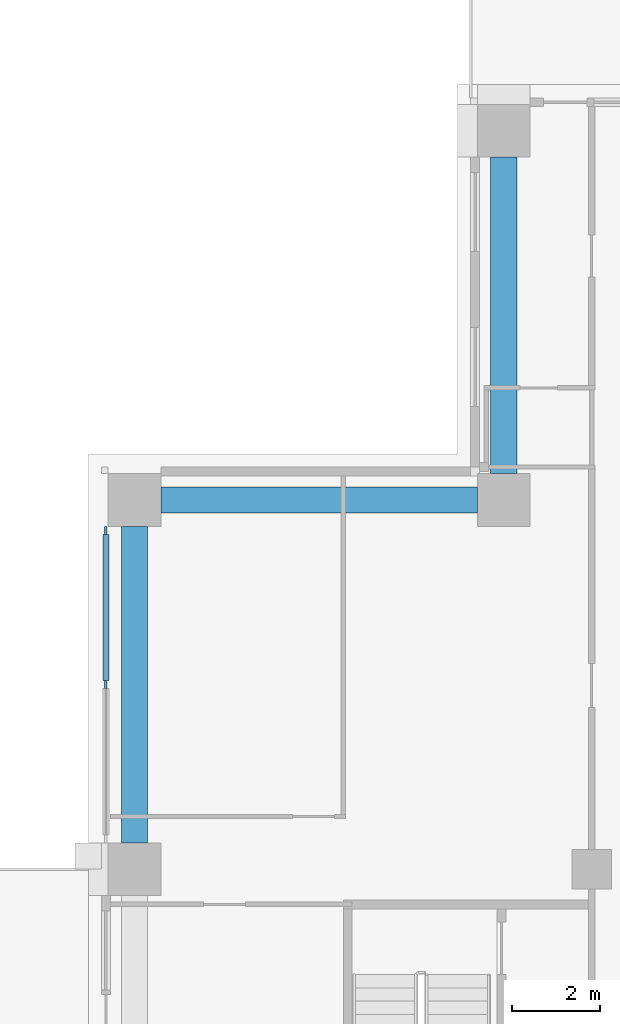
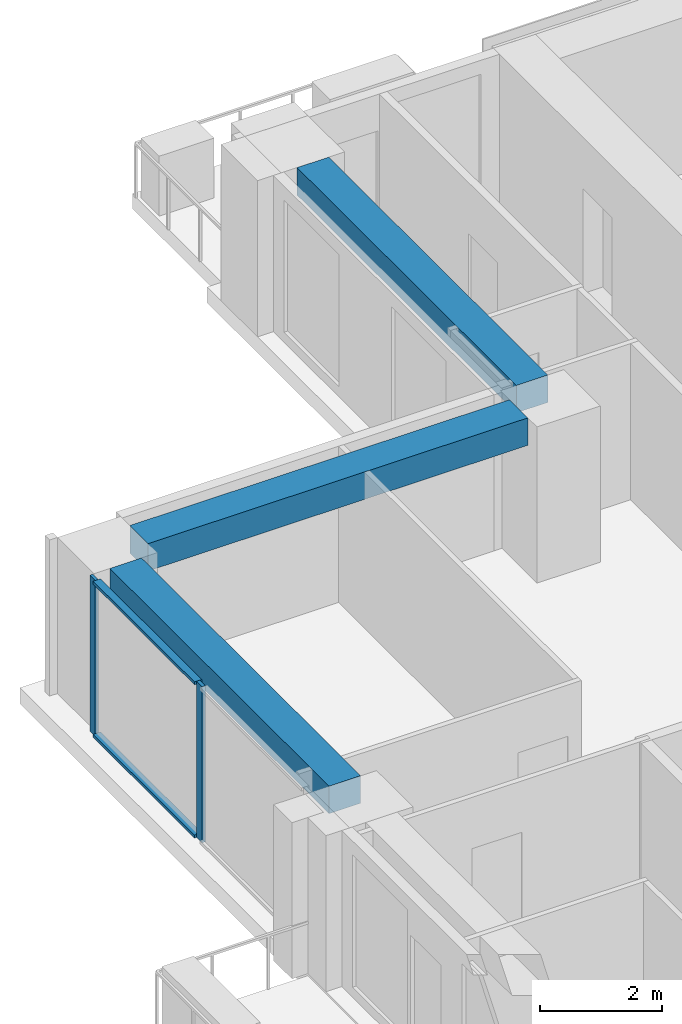
# One storey, part 5 of 18: 4 members, 3 beams, 1 element without a shape of its own.
"""IFC4 building model written with IfcOpenShell, lengths in metres."""

from ifc_helpers import new_model, si_unit, direction, frame, origin, origin_2d, place, context, subcontext, project, spatial, rectangle, extrude, material, material_profile, profile_set, type_object, element, aggregate, save


model = new_model("IFC4")

# Units and contexts
model_context = context("Model", 3, precision=1e-05, world=origin(), true_north=direction((0.0, 1.0)))
body_context = subcontext(model_context, "Body", "Model", "MODEL_VIEW")
ifc_project = project(units=[si_unit("LENGTHUNIT", "METRE"), si_unit("AREAUNIT", "SQUARE_METRE"), si_unit("VOLUMEUNIT", "CUBIC_METRE"), si_unit("PLANEANGLEUNIT", "RADIAN"), si_unit("MASSUNIT", "GRAM", prefix="KILO")], contexts=[model_context])

# Site, building, storey
site_placement = place(None, origin())
site = spatial("IfcSite", under=ifc_project, at=site_placement, CompositionType="ELEMENT")
building_placement = place(site_placement, origin())
building = spatial("IfcBuilding", under=site, at=building_placement, Name="Vermilion Ogive Tower", CompositionType="ELEMENT")
storey_placement = place(building_placement, frame((0.0, 0.0, 108.0)))
storey = spatial("IfcBuildingStorey", under=building, at=storey_placement, Name="L27", CompositionType="ELEMENT", Elevation=108.0)

# Curtain wall, members
ifc_material_1 = material(Name="Low-iron laminated glazing in aluminium frame", Category="aluminium")
curtain_wall_type = type_object("IfcCurtainWallType", Name="Curtain wall CW7", PredefinedType="NOTDEFINED", material=ifc_material_1)
curtain_wall_placement = place(storey_placement, origin())
curtain_wall = element("IfcCurtainWall", 1, at=curtain_wall_placement, inside=storey, type_object=curtain_wall_type, Name="Glazed skin W1", PredefinedType="NOTDEFINED")
ifc_material_2 = material(Name="Aluminium mullion", Category="aluminium")
ifc_material_profile_1 = material_profile(ifc_material_2, rectangle(XDim=0.06005859375, YDim=0.179931640625, at=origin_2d()), Name="AL 60x180")
ifc_profile_set_1 = profile_set([ifc_material_profile_1], Name="Aluminium mullion")
member_type_1 = type_object("IfcMemberType", Name="CW7 mullion 60x180", PredefinedType="MULLION", material=ifc_profile_set_1)
member_1_placement = place(storey_placement, frame((-25.85009765625, 11.909912109375, 0.0), z_axis=(0.0, 0.0, 1.0), x_axis=(1.0, 0.0, 0.0)))
member_1 = element("IfcMember", 2, at=member_1_placement, type_object=member_type_1, Name="CW7-W1 mullion 1", PredefinedType="MULLION", context=body_context, shape_type="SweptSolid", body=[
    extrude(rectangle(XDim=0.06005859375, YDim=0.179931640625, at=origin_2d()), origin(), (0.0, 0.0, 1.0), 3.1298828125),
])
member_2_placement = place(storey_placement, frame((-25.85009765625, 8.39990234375, 0.0), z_axis=(0.0, 0.0, 1.0), x_axis=(1.0, 0.0, 0.0)))
member_2 = element("IfcMember", 3, at=member_2_placement, type_object=member_type_1, Name="CW7-W1 mullion 2", PredefinedType="MULLION", context=body_context, shape_type="SweptSolid", body=[
    extrude(rectangle(XDim=0.06005859375, YDim=0.179931640625, at=origin_2d()), origin(), (0.0, 0.0, 1.0), 3.1298828125),
])
ifc_material_3 = material(Name="Aluminium transom", Category="aluminium")
ifc_material_profile_2 = material_profile(ifc_material_3, rectangle(XDim=0.139892578125, YDim=0.06005859375, at=origin_2d()), Name="AL 60x140")
ifc_profile_set_2 = profile_set([ifc_material_profile_2], Name="Aluminium transom")
member_type_2 = type_object("IfcMemberType", Name="CW7 transom 60x140", PredefinedType="USERDEFINED", material=ifc_profile_set_2)
member_3_placement = place(storey_placement, frame((-25.85009765625, 11.820068359375, 0.030029296875), z_axis=(0.0, -1.0, 0.0), x_axis=(1.0, 0.0, 0.0)))
member_3 = element("IfcMember", 4, at=member_3_placement, type_object=member_type_2, Name="CW7-W1 transom 1.1", ObjectType="TRANSOM", PredefinedType="USERDEFINED", context=body_context, shape_type="SweptSolid", body=[
    extrude(rectangle(XDim=0.139892578125, YDim=0.06005859375, at=origin_2d()), origin(), (0.0, 0.0, 1.0), 3.330078125),
])
member_4_placement = place(storey_placement, frame((-25.85009765625, 11.820068359375, 3.10009765625), z_axis=(0.0, -1.0, 0.0), x_axis=(1.0, 0.0, 0.0)))
member_4 = element("IfcMember", 5, at=member_4_placement, type_object=member_type_2, Name="CW7-W1 transom 1.2", ObjectType="TRANSOM", PredefinedType="USERDEFINED", context=body_context, shape_type="SweptSolid", body=[
    extrude(rectangle(XDim=0.139892578125, YDim=0.06005859375, at=origin_2d()), origin(), (0.0, 0.0, 1.0), 3.330078125),
])
aggregate(curtain_wall, [member_1, member_2, member_3, member_4])

# Beams
ifc_material_4 = material(Name="Concrete B45", Category="concrete")
ifc_material_profile_3 = material_profile(ifc_material_4, rectangle(XDim=0.60009765625, YDim=0.550048828125, at=origin_2d()), Name="600 x 550")
ifc_profile_set_3 = profile_set([ifc_material_profile_3], Name="Concrete B45")
beam_type = type_object("IfcBeamType", Name="Edge beam 600 x 550 B45", PredefinedType="BEAM", material=ifc_profile_set_3)
beam_1_placement = place(storey_placement, frame((-16.800048828125, 20.39990234375, 2.85498046875), z_axis=(0.0, -1.0, 0.0), x_axis=(1.0, 0.0, 0.0)))
element("IfcBeam", 6, at=beam_1_placement, inside=storey, type_object=beam_type, Name="L27-EB-12", PredefinedType="BEAM", context=body_context, shape_type="SweptSolid", body=[
    extrude(rectangle(XDim=0.60009765625, YDim=0.550048828125, at=origin_2d()), origin(), (0.0, 0.0, 1.0), 7.199951171875),
])
beam_2_placement = place(storey_placement, frame((-17.39990234375, 12.60009765625, 2.85498046875), z_axis=(-1.0, 0.0, 0.0), x_axis=(0.0, -1.0, 0.0)))
element("IfcBeam", 7, at=beam_2_placement, inside=storey, type_object=beam_type, Name="L27-EB-13", PredefinedType="BEAM", context=body_context, shape_type="SweptSolid", body=[
    extrude(rectangle(XDim=0.60009765625, YDim=0.550048828125, at=origin_2d()), origin(), (0.0, 0.0, 1.0), 7.2001953125),
])
beam_3_placement = place(storey_placement, frame((-25.199951171875, 12.0, 2.85498046875), z_axis=(0.0, -1.0, 0.0), x_axis=(1.0, 0.0, 0.0)))
element("IfcBeam", 8, at=beam_3_placement, inside=storey, type_object=beam_type, Name="L27-EB-14", PredefinedType="BEAM", context=body_context, shape_type="SweptSolid", body=[
    extrude(rectangle(XDim=0.60009765625, YDim=0.550048828125, at=origin_2d()), origin(), (0.0, 0.0, 1.0), 7.199951171875),
])

save(model, "model.ifc")
